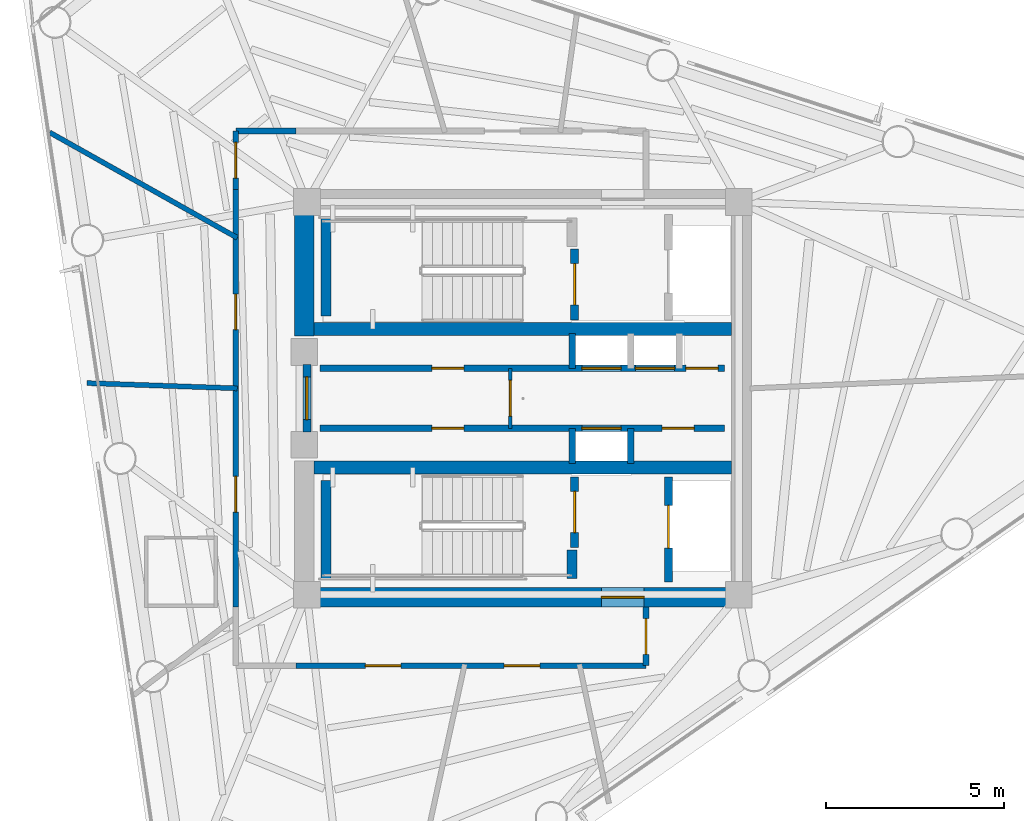
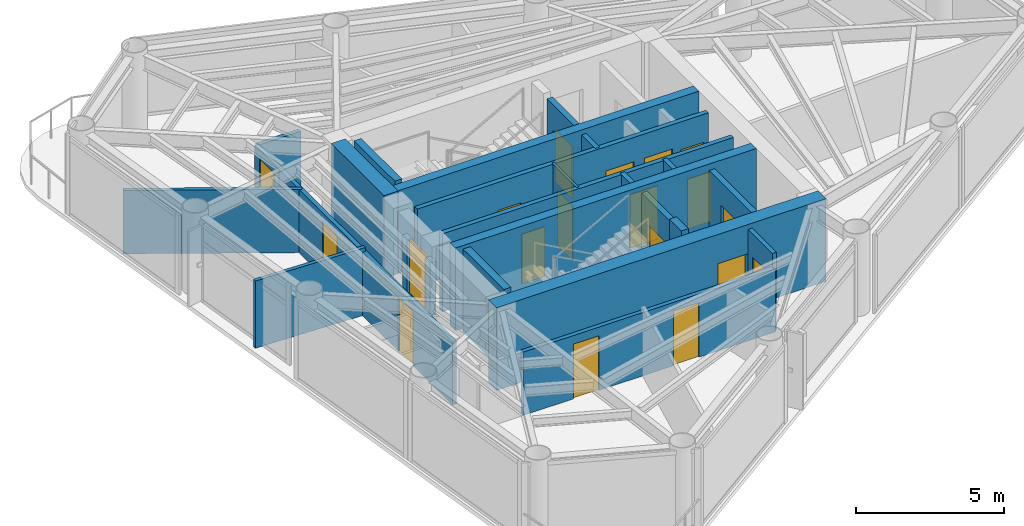
# One storey, part 5 of 9: 24 walls, 19 doors, 19 openings.
"""IFC4 building model written with IfcOpenShell, lengths in metres."""

from ifc_helpers import new_model, si_unit, direction, frame, frame_2d, origin, place, context, subcontext, project, spatial, rectangle, extrude, material, layer, layer_set, type_object, element, fill, save


model = new_model("IFC4")

# Units and contexts
model_context = context("Model", 3, precision=1e-05, world=origin(), true_north=direction((0.0, 1.0)))
body_context = subcontext(model_context, "Body", "Model", "MODEL_VIEW")
ifc_project = project(units=[si_unit("LENGTHUNIT", "METRE"), si_unit("AREAUNIT", "SQUARE_METRE"), si_unit("VOLUMEUNIT", "CUBIC_METRE"), si_unit("PLANEANGLEUNIT", "RADIAN"), si_unit("MASSUNIT", "GRAM", prefix="KILO")], contexts=[model_context])

# Site, building, storey
site_placement = place(None, origin())
site = spatial("IfcSite", under=ifc_project, at=site_placement, CompositionType="ELEMENT")
building_placement = place(site_placement, origin())
building = spatial("IfcBuilding", under=site, at=building_placement, Name="Yunling Apex Tower", CompositionType="ELEMENT")
storey_placement = place(building_placement, frame((0.0, 0.0, 260.949951171875)))
storey = spatial("IfcBuildingStorey", under=building, at=storey_placement, Name="L63", CompositionType="ELEMENT", Elevation=260.949951171875)

# Wall, opening, door
ifc_material_1 = material(Name="Concrete C40", Category="concrete")
ifc_layer_1 = layer(ifc_material_1, 0.550048828125)
ifc_layer_set_1 = layer_set([ifc_layer_1], Name="Concrete C40")
wall_type_1 = type_object("IfcWallType", Name="WL-COR-3", PredefinedType="SHEAR", material=ifc_layer_set_1)
wall_1_placement = place(storey_placement, frame((-6.39990234375, -5.574951171875, 0.0), z_axis=(0.0, 0.0, 1.0), x_axis=(1.0, 0.0, 0.0)))
wall_1 = element("IfcWall", 1, at=wall_1_placement, inside=storey, type_object=wall_type_1, Name="L63 South Core Shear Wall", PredefinedType="SHEAR", context=body_context, shape_type="SweptSolid", body=[
    extrude(rectangle(XDim=12.7998046875, YDim=0.550048828125, at=frame_2d((6.39990234375, 0.0))), origin(), (0.0, 0.0, 1.0), 3.400146484375),
])
opening_1_placement = place(wall_1_placement, frame((8.60009765625, 0.0, 0.0)))
opening_1 = element("IfcOpeningElement", 2, at=opening_1_placement, cuts=wall_1, Name="Opening DR-FFL-1", PredefinedType="OPENING", context=body_context, shape_type="SweptSolid", body=[
    extrude(rectangle(XDim=1.199951171875, YDim=2.199951171875, at=frame_2d((0.60009765625, 1.10009765625))), frame((0.0, 0.28515625, 0.0), z_axis=(0.0, -1.0, 0.0), x_axis=(1.0, 0.0, 0.0)), (0.0, 0.0, 1.0), 0.570068359375),
])
ifc_material_2 = material(Name="Steel Q355B", Category="steel")
door_type_1 = type_object("IfcDoorType", Name="DR-FFL-1", OperationType="NOTDEFINED", PredefinedType="DOOR", material=ifc_material_2)
door_1_placement = place(opening_1_placement, origin())
door_1 = element("IfcDoor", 3, at=door_1_placement, inside=storey, type_object=door_type_1, Name="L63 South Firefighting Lobby Door", OperationType="SINGLE_SWING_RIGHT", OverallHeight=2.199951171875, OverallWidth=1.199951171875, PredefinedType="DOOR", context=body_context, shape_type="SweptSolid", body=[
    extrude(rectangle(XDim=1.199951171875, YDim=2.199951171875, at=frame_2d((0.60009765625, 1.10009765625))), frame((0.0, 0.02490234375, 0.0), z_axis=(0.0, -1.0, 0.0), x_axis=(1.0, 0.0, 0.0)), (0.0, 0.0, 1.0), 0.050048828125),
])
fill(opening_1, door_1)

# Walls
wall_2_placement = place(storey_placement, frame((-6.125, 1.75, 0.0), z_axis=(0.0, 0.0, 1.0), x_axis=(0.0, 1.0, 0.0)))
element("IfcWall", 4, at=wall_2_placement, inside=storey, type_object=wall_type_1, Name="L63 West-North Core Shear Wall", PredefinedType="SHEAR", context=body_context, shape_type="SweptSolid", body=[
    extrude(rectangle(XDim=3.550048828125, YDim=0.550048828125, at=frame_2d((1.77490234375, 0.0))), origin(), (0.0, 0.0, 1.0), 3.400146484375),
])
ifc_layer_2 = layer(ifc_material_1, 0.360107421875)
ifc_layer_set_2 = layer_set([ifc_layer_2], Name="Concrete C40")
wall_type_2 = type_object("IfcWallType", Name="WL-COR-4", PredefinedType="SHEAR", material=ifc_layer_set_2)
for number, where, z_axis, x_axis, name in (
    (5, (-5.85009765625, 1.93994140625, 0.0), (0.0, 0.0, 1.0), (1.0, 0.0, 0.0), "L63 North Internal Core Shear Wall"),
    (6, (-5.85009765625, -1.93994140625, 0.0), (0.0, 0.0, 1.0), (1.0, 0.0, 0.0), "L63 South Internal Core Shear Wall"),
):
    element("IfcWall", number, at=place(storey_placement, frame(where, z_axis=z_axis, x_axis=x_axis)), inside=storey, type_object=wall_type_2, Name=name, PredefinedType="SHEAR", context=body_context, shape_type="SweptSolid", body=[
        extrude(rectangle(XDim=11.7001953125, YDim=0.360107421875, at=frame_2d((5.85009765625, 0.0))), origin(), (0.0, 0.0, 1.0), 3.400146484375),
    ])
ifc_layer_3 = layer(ifc_material_1, 0.280029296875)
ifc_layer_set_3 = layer_set([ifc_layer_3], Name="Concrete C40")
wall_type_3 = type_object("IfcWallType", Name="WL-COR-8", PredefinedType="SHEAR", material=ifc_layer_set_3)
for number, where, z_axis, x_axis, name in (
    (7, (-5.52001953125, 2.300048828125, 0.0), (0.0, 0.0, 1.0), (0.0, 1.0, 0.0), "L63 ST-1 West Landing Bearing Wall"),
    (8, (-5.52001953125, -5.050048828125, 0.0), (0.0, 0.0, 1.0), (0.0, 1.0, 0.0), "L63 ST-2 West Landing Bearing Wall"),
):
    element("IfcWall", number, at=place(storey_placement, frame(where, z_axis=z_axis, x_axis=x_axis)), inside=storey, type_object=wall_type_3, Name=name, PredefinedType="SHEAR", context=body_context, shape_type="SweptSolid", body=[
        extrude(rectangle(XDim=2.75, YDim=0.280029296875, at=frame_2d((1.375, 0.0))), origin(), (0.0, 0.0, 1.0), 3.400146484375),
    ])
wall_3_placement = place(storey_placement, frame((1.3798828125, -5.050048828125, 0.0), z_axis=(0.0, 0.0, 1.0), x_axis=(0.0, 1.0, 0.0)))
element("IfcWall", 9, at=wall_3_placement, inside=storey, type_object=wall_type_3, Name="L63 ST-2 East Landing Bearing Pier", PredefinedType="SHEAR", context=body_context, shape_type="SweptSolid", body=[
    extrude(rectangle(XDim=0.800048828125, YDim=0.280029296875, at=frame_2d((0.39990234375, 0.0))), origin(), (0.0, 0.0, 1.0), 3.400146484375),
])

# Wall, opening, door
ifc_material_3 = material(Name="Gypsum board acoustic partition")
ifc_layer_4 = layer(ifc_material_3, 0.159912109375)
ifc_layer_set_4 = layer_set([ifc_layer_4], Name="Gypsum board acoustic partition")
wall_type_4 = type_object("IfcWallType", Name="WL-PRT-1", PredefinedType="PARTITIONING", material=ifc_layer_set_4)
wall_4_placement = place(storey_placement, frame((-8.0400390625, 5.85009765625, 0.0), z_axis=(0.0, 0.0, 1.0), x_axis=(0.0, 1.0, 0.0)))
wall_4 = element("IfcWall", 10, at=wall_4_placement, inside=storey, type_object=wall_type_4, Name="WL-CORR-L63-01", PredefinedType="PARTITIONING", context=body_context, shape_type="SweptSolid", body=[
    extrude(rectangle(XDim=1.639892578125, YDim=0.159912109375, at=frame_2d((0.81982421875, 0.0))), origin(), (0.0, 0.0, 1.0), 2.60498046875),
])
opening_2_placement = place(wall_4_placement, frame((0.320068359375, 0.0, 0.0)))
opening_2 = element("IfcOpeningElement", 11, at=opening_2_placement, cuts=wall_4, Name="Opening DR-OFF-1", PredefinedType="OPENING", context=body_context, shape_type="SweptSolid", body=[
    extrude(rectangle(XDim=1.0, YDim=2.25, at=frame_2d((0.5, 1.125))), frame((0.0, 0.08984375, 0.0), z_axis=(0.0, -1.0, 0.0), x_axis=(1.0, 0.0, 0.0)), (0.0, 0.0, 1.0), 0.179931640625),
])
ifc_material_4 = material(Name="Bronze anodised aluminium", Category="aluminium")
door_type_2 = type_object("IfcDoorType", Name="DR-OFF-1", OperationType="NOTDEFINED", PredefinedType="DOOR", material=ifc_material_4)
door_2_placement = place(opening_2_placement, origin())
door_2 = element("IfcDoor", 12, at=door_2_placement, inside=storey, type_object=door_type_2, Name="L63 Residents Music Lounge Door", OperationType="SINGLE_SWING_LEFT", OverallHeight=2.25, OverallWidth=1.0, PredefinedType="DOOR", context=body_context, shape_type="SweptSolid", body=[
    extrude(rectangle(XDim=1.0, YDim=2.25, at=frame_2d((0.5, 1.125))), frame((0.0, 0.02490234375, 0.0), z_axis=(0.0, -1.0, 0.0), x_axis=(1.0, 0.0, 0.0)), (0.0, 0.0, 1.0), 0.050048828125),
])
fill(opening_2, door_2)

# Wall
wall_5_placement = place(storey_placement, frame((-8.0400390625, 7.489990234375, 0.0), z_axis=(0.0, 0.0, 1.0), x_axis=(1.0, 0.0, 0.0)))
element("IfcWall", 13, at=wall_5_placement, inside=storey, type_object=wall_type_4, Name="WL-CORR-L63-02", PredefinedType="PARTITIONING", context=body_context, shape_type="SweptSolid", body=[
    extrude(rectangle(XDim=1.679931640625, YDim=0.159912109375, at=frame_2d((0.83984375, 0.0))), origin(), (0.0, 0.0, 1.0), 2.60498046875),
])

# Wall, opening, door
wall_6_placement = place(storey_placement, frame((3.449951171875, -5.85009765625, 0.0), z_axis=(0.0, 0.0, 1.0), x_axis=(0.0, -1.0, 0.0)))
wall_6 = element("IfcWall", 14, at=wall_6_placement, inside=storey, type_object=wall_type_4, Name="WL-CORR-L63-05", PredefinedType="PARTITIONING", context=body_context, shape_type="SweptSolid", body=[
    extrude(rectangle(XDim=1.639892578125, YDim=0.159912109375, at=frame_2d((0.81982421875, 0.0))), origin(), (0.0, 0.0, 1.0), 3.199951171875),
])
opening_3_placement = place(wall_6_placement, frame((0.320068359375, 0.0, 0.0)))
opening_3 = element("IfcOpeningElement", 15, at=opening_3_placement, cuts=wall_6, Name="Opening DR-OFF-1", PredefinedType="OPENING", context=body_context, shape_type="SweptSolid", body=[
    extrude(rectangle(XDim=1.0, YDim=2.25, at=frame_2d((0.5, 1.125))), frame((0.0, 0.08984375, 0.0), z_axis=(0.0, -1.0, 0.0), x_axis=(1.0, 0.0, 0.0)), (0.0, 0.0, 1.0), 0.179931640625),
])
door_3_placement = place(opening_3_placement, origin())
door_3 = element("IfcDoor", 16, at=door_3_placement, inside=storey, type_object=door_type_2, Name="L63 Wellness Yoga Club Door", OperationType="SINGLE_SWING_RIGHT", OverallHeight=2.25, OverallWidth=1.0, PredefinedType="DOOR", context=body_context, shape_type="SweptSolid", body=[
    extrude(rectangle(XDim=1.0, YDim=2.25, at=frame_2d((0.5, 1.125))), frame((0.0, 0.02490234375, 0.0), z_axis=(0.0, -1.0, 0.0), x_axis=(1.0, 0.0, 0.0)), (0.0, 0.0, 1.0), 0.050048828125),
])
fill(opening_3, door_3)

# Wall, openings, doors
wall_7_placement = place(storey_placement, frame((3.449951171875, -7.489990234375, 0.0), z_axis=(0.0, 0.0, 1.0), x_axis=(-1.0, 0.0, 0.0)))
wall_7 = element("IfcWall", 17, at=wall_7_placement, inside=storey, type_object=wall_type_4, Name="WL-CORR-L63-06", PredefinedType="PARTITIONING", context=body_context, shape_type="SweptSolid", body=[
    extrude(rectangle(XDim=9.81005859375, YDim=0.159912109375, at=frame_2d((4.905029296875, 0.0))), origin(), (0.0, 0.0, 1.0), 2.60498046875),
])
opening_4_placement = place(wall_7_placement, frame((2.972900390625, 0.0, 0.0)))
opening_4 = element("IfcOpeningElement", 18, at=opening_4_placement, cuts=wall_7, Name="Opening DR-OFF-1", PredefinedType="OPENING", context=body_context, shape_type="SweptSolid", body=[
    extrude(rectangle(XDim=1.0, YDim=2.25, at=frame_2d((0.5, 1.125))), frame((0.0, 0.08984375, 0.0), z_axis=(0.0, -1.0, 0.0), x_axis=(1.0, 0.0, 0.0)), (0.0, 0.0, 1.0), 0.179931640625),
])
opening_5_placement = place(wall_7_placement, frame((6.864501953125, 0.0, 0.0)))
opening_5 = element("IfcOpeningElement", 19, at=opening_5_placement, cuts=wall_7, Name="Opening DR-OFF-1", PredefinedType="OPENING", context=body_context, shape_type="SweptSolid", body=[
    extrude(rectangle(XDim=1.0, YDim=2.25, at=frame_2d((0.5, 1.125))), frame((0.0, 0.08984375, 0.0), z_axis=(0.0, -1.0, 0.0), x_axis=(1.0, 0.0, 0.0)), (0.0, 0.0, 1.0), 0.179931640625),
])
door_4_placement = place(opening_4_placement, origin())
door_4 = element("IfcDoor", 20, at=door_4_placement, inside=storey, type_object=door_type_2, Name="L63 Residents Music Lounge Door", OperationType="SINGLE_SWING_LEFT", OverallHeight=2.25, OverallWidth=1.0, PredefinedType="DOOR", context=body_context, shape_type="SweptSolid", body=[
    extrude(rectangle(XDim=1.0, YDim=2.25, at=frame_2d((0.5, 1.125))), frame((0.0, 0.02490234375, 0.0), z_axis=(0.0, -1.0, 0.0), x_axis=(1.0, 0.0, 0.0)), (0.0, 0.0, 1.0), 0.050048828125),
])
fill(opening_4, door_4)
door_5_placement = place(opening_5_placement, origin())
door_5 = element("IfcDoor", 21, at=door_5_placement, inside=storey, type_object=door_type_2, Name="L63 Wellness Yoga Club Door", OperationType="SINGLE_SWING_RIGHT", OverallHeight=2.25, OverallWidth=1.0, PredefinedType="DOOR", context=body_context, shape_type="SweptSolid", body=[
    extrude(rectangle(XDim=1.0, YDim=2.25, at=frame_2d((0.5, 1.125))), frame((0.0, 0.02490234375, 0.0), z_axis=(0.0, -1.0, 0.0), x_axis=(1.0, 0.0, 0.0)), (0.0, 0.0, 1.0), 0.050048828125),
])
fill(opening_5, door_5)

wall_8_placement = place(storey_placement, frame((-8.0400390625, -5.85009765625, 0.0), z_axis=(0.0, 0.0, 1.0), x_axis=(0.0, 1.0, 0.0)))
wall_8 = element("IfcWall", 22, at=wall_8_placement, inside=storey, type_object=wall_type_4, Name="WL-CORR-L63-09", PredefinedType="PARTITIONING", context=body_context, shape_type="SweptSolid", body=[
    extrude(rectangle(XDim=11.7001953125, YDim=0.159912109375, at=frame_2d((5.85009765625, 0.0))), origin(), (0.0, 0.0, 1.0), 2.60498046875),
])
opening_6_placement = place(wall_8_placement, frame((2.660888671875, 0.0, 0.0)))
opening_6 = element("IfcOpeningElement", 23, at=opening_6_placement, cuts=wall_8, Name="Opening DR-OFF-1", PredefinedType="OPENING", context=body_context, shape_type="SweptSolid", body=[
    extrude(rectangle(XDim=1.0, YDim=2.25, at=frame_2d((0.5, 1.125))), frame((0.0, 0.08984375, 0.0), z_axis=(0.0, -1.0, 0.0), x_axis=(1.0, 0.0, 0.0)), (0.0, 0.0, 1.0), 0.179931640625),
])
opening_7_placement = place(wall_8_placement, frame((7.771484375, 0.0, 0.0)))
opening_7 = element("IfcOpeningElement", 24, at=opening_7_placement, cuts=wall_8, Name="Opening DR-OFF-1", PredefinedType="OPENING", context=body_context, shape_type="SweptSolid", body=[
    extrude(rectangle(XDim=1.0, YDim=2.25, at=frame_2d((0.5, 1.125))), frame((0.0, 0.08984375, 0.0), z_axis=(0.0, -1.0, 0.0), x_axis=(1.0, 0.0, 0.0)), (0.0, 0.0, 1.0), 0.179931640625),
])
door_6_placement = place(opening_6_placement, origin())
door_6 = element("IfcDoor", 25, at=door_6_placement, inside=storey, type_object=door_type_2, Name="L63 Residents Music Lounge Door", OperationType="SINGLE_SWING_LEFT", OverallHeight=2.25, OverallWidth=1.0, PredefinedType="DOOR", context=body_context, shape_type="SweptSolid", body=[
    extrude(rectangle(XDim=1.0, YDim=2.25, at=frame_2d((0.5, 1.125))), frame((0.0, 0.02490234375, 0.0), z_axis=(0.0, -1.0, 0.0), x_axis=(1.0, 0.0, 0.0)), (0.0, 0.0, 1.0), 0.050048828125),
])
fill(opening_6, door_6)
door_7_placement = place(opening_7_placement, origin())
door_7 = element("IfcDoor", 26, at=door_7_placement, inside=storey, type_object=door_type_2, Name="L63 Wellness Yoga Club Door", OperationType="SINGLE_SWING_RIGHT", OverallHeight=2.25, OverallWidth=1.0, PredefinedType="DOOR", context=body_context, shape_type="SweptSolid", body=[
    extrude(rectangle(XDim=1.0, YDim=2.25, at=frame_2d((0.5, 1.125))), frame((0.0, 0.02490234375, 0.0), z_axis=(0.0, -1.0, 0.0), x_axis=(1.0, 0.0, 0.0)), (0.0, 0.0, 1.0), 0.050048828125),
])
fill(opening_7, door_7)

# Walls
ifc_layer_5 = layer(ifc_material_3, 0.139892578125)
ifc_layer_set_5 = layer_set([ifc_layer_5], Name="Gypsum board acoustic partition")
wall_type_5 = type_object("IfcWallType", Name="WL-PRT-2", PredefinedType="PARTITIONING", material=ifc_layer_set_5)
wall_9_placement = place(storey_placement, frame((-8.0, 4.49560546875, 0.0), z_axis=(0.0, 0.0, 1.0), x_axis=(-0.871799326596, 0.489863179008, 0.0)))
element("IfcWall", 27, at=wall_9_placement, inside=storey, type_object=wall_type_5, Name="WL-RAD-L63-04", PredefinedType="PARTITIONING", context=body_context, shape_type="SweptSolid", body=[
    extrude(rectangle(XDim=6.028564453125, YDim=0.139892578125, at=frame_2d((3.01416015625, 0.0))), origin(), (0.0, 0.0, 1.0), 2.60498046875),
])
wall_10_placement = place(storey_placement, frame((-8.0, 0.279296875, 0.0), z_axis=(0.0, 0.0, 1.0), x_axis=(-0.999390047844, 0.034921802229, 0.0)))
element("IfcWall", 28, at=wall_10_placement, inside=storey, type_object=wall_type_5, Name="WL-RAD-L63-05", PredefinedType="PARTITIONING", context=body_context, shape_type="SweptSolid", body=[
    extrude(rectangle(XDim=4.208740234375, YDim=0.139892578125, at=frame_2d((2.1044921875, 0.0))), origin(), (0.0, 0.0, 1.0), 2.76513671875),
])

# Wall, opening, door
ifc_layer_6 = layer(ifc_material_3, 0.10009765625)
ifc_layer_set_6 = layer_set([ifc_layer_6], Name="Gypsum board acoustic partition")
wall_type_6 = type_object("IfcWallType", Name="WL-PRT-4", PredefinedType="PARTITIONING", material=ifc_layer_set_6)
wall_11_placement = place(storey_placement, frame((-0.35009765625, -0.840087890625, 0.0), z_axis=(0.0, 0.0, 1.0), x_axis=(0.0, 1.0, 0.0)))
wall_11 = element("IfcWall", 29, at=wall_11_placement, inside=storey, type_object=wall_type_6, Name="WL-LOB-MID-L63", PredefinedType="PARTITIONING", context=body_context, shape_type="SweptSolid", body=[
    extrude(rectangle(XDim=1.68017578125, YDim=0.10009765625, at=frame_2d((0.840087890625, 0.0))), origin(), (0.0, 0.0, 1.0), 3.199951171875),
])
opening_8_placement = place(wall_11_placement, frame((0.340087890625, 0.0, 0.0)))
opening_8 = element("IfcOpeningElement", 30, at=opening_8_placement, cuts=wall_11, Name="Opening DR-OFF-1", PredefinedType="OPENING", context=body_context, shape_type="SweptSolid", body=[
    extrude(rectangle(XDim=1.0, YDim=2.25, at=frame_2d((0.5, 1.125))), frame((0.0, 0.06005859375, 0.0), z_axis=(0.0, -1.0, 0.0), x_axis=(1.0, 0.0, 0.0)), (0.0, 0.0, 1.0), 0.1201171875),
])
door_8_placement = place(opening_8_placement, origin())
door_8 = element("IfcDoor", 31, at=door_8_placement, inside=storey, type_object=door_type_2, Name="L63 Core Lobby Link Door", OperationType="SINGLE_SWING_LEFT", OverallHeight=2.25, OverallWidth=1.0, PredefinedType="DOOR", context=body_context, shape_type="SweptSolid", body=[
    extrude(rectangle(XDim=1.0, YDim=2.25, at=frame_2d((0.5, 1.125))), frame((0.0, 0.02490234375, 0.0), z_axis=(0.0, -1.0, 0.0), x_axis=(1.0, 0.0, 0.0)), (0.0, 0.0, 1.0), 0.050048828125),
])
fill(opening_8, door_8)

ifc_material_5 = material(Name="Autoclaved aerated concrete masonry", Category="masonry")
ifc_layer_7 = layer(ifc_material_5, 0.219970703125)
ifc_layer_set_7 = layer_set([ifc_layer_7], Name="Autoclaved aerated concrete masonry")
wall_type_7 = type_object("IfcWallType", Name="WL-SHF-1", PredefinedType="PLUMBINGWALL", material=ifc_layer_set_7)
wall_12_placement = place(storey_placement, frame((-6.050048828125, -0.949951171875, 0.0), z_axis=(0.0, 0.0, 1.0), x_axis=(0.0, 1.0, 0.0)))
wall_12 = element("IfcWall", 32, at=wall_12_placement, inside=storey, type_object=wall_type_7, Name="WL-COR-WPORT-L63", PredefinedType="PLUMBINGWALL", context=body_context, shape_type="SweptSolid", body=[
    extrude(rectangle(XDim=1.89990234375, YDim=0.219970703125, at=frame_2d((0.949951171875, 0.0))), origin(), (0.0, 0.0, 1.0), 2.179931640625),
])
opening_9_placement = place(wall_12_placement, frame((0.35009765625, 0.0, 0.0)))
opening_9 = element("IfcOpeningElement", 33, at=opening_9_placement, cuts=wall_12, Name="Opening DR-FFL-1", PredefinedType="OPENING", context=body_context, shape_type="SweptSolid", body=[
    extrude(rectangle(XDim=1.199951171875, YDim=2.199951171875, at=frame_2d((0.60009765625, 1.10009765625))), frame((0.0, 0.1201171875, 0.0), z_axis=(0.0, -1.0, 0.0), x_axis=(1.0, 0.0, 0.0)), (0.0, 0.0, 1.0), 0.239990234375),
])
door_9_placement = place(opening_9_placement, origin())
door_9 = element("IfcDoor", 34, at=door_9_placement, inside=storey, type_object=door_type_1, Name="L63 Passenger Lift Lobby Entrance Door", OperationType="SINGLE_SWING_RIGHT", OverallHeight=2.199951171875, OverallWidth=1.199951171875, PredefinedType="DOOR", context=body_context, shape_type="SweptSolid", body=[
    extrude(rectangle(XDim=1.199951171875, YDim=2.199951171875, at=frame_2d((0.60009765625, 1.10009765625))), frame((0.0, 0.02490234375, 0.0), z_axis=(0.0, -1.0, 0.0), x_axis=(1.0, 0.0, 0.0)), (0.0, 0.0, 1.0), 0.050048828125),
])
fill(opening_9, door_9)

wall_13_placement = place(storey_placement, frame((1.449951171875, 2.199951171875, 0.0), z_axis=(0.0, 0.0, 1.0), x_axis=(0.0, 1.0, 0.0)))
wall_13 = element("IfcWall", 35, at=wall_13_placement, inside=storey, type_object=wall_type_7, Name="WL-ST1-E-L63", PredefinedType="PLUMBINGWALL", context=body_context, shape_type="SweptSolid", body=[
    extrude(rectangle(XDim=1.97998046875, YDim=0.219970703125, at=frame_2d((0.989990234375, 0.0))), origin(), (0.0, 0.0, 1.0), 3.199951171875),
])
opening_10_placement = place(wall_13_placement, frame((0.419921875, 0.0, 0.0)))
opening_10 = element("IfcOpeningElement", 36, at=opening_10_placement, cuts=wall_13, Name="Opening DR-ST-1", PredefinedType="OPENING", context=body_context, shape_type="SweptSolid", body=[
    extrude(rectangle(XDim=1.14990234375, YDim=2.14990234375, at=frame_2d((0.574951171875, 1.074951171875))), frame((0.0, 0.1201171875, 0.0), z_axis=(0.0, -1.0, 0.0), x_axis=(1.0, 0.0, 0.0)), (0.0, 0.0, 1.0), 0.239990234375),
])
door_type_3 = type_object("IfcDoorType", Name="DR-ST-1", OperationType="NOTDEFINED", PredefinedType="DOOR", material=ifc_material_2)
door_10_placement = place(opening_10_placement, origin())
door_10 = element("IfcDoor", 37, at=door_10_placement, inside=storey, type_object=door_type_3, Name="L63 Stair ST-1 Fire Door", OperationType="SINGLE_SWING_LEFT", OverallHeight=2.14990234375, OverallWidth=1.14990234375, PredefinedType="DOOR", context=body_context, shape_type="SweptSolid", body=[
    extrude(rectangle(XDim=1.14990234375, YDim=2.14990234375, at=frame_2d((0.574951171875, 1.074951171875))), frame((0.0, 0.02490234375, 0.0), z_axis=(0.0, -1.0, 0.0), x_axis=(1.0, 0.0, 0.0)), (0.0, 0.0, 1.0), 0.050048828125),
])
fill(opening_10, door_10)

wall_14_placement = place(storey_placement, frame((1.449951171875, -4.179931640625, 0.0), z_axis=(0.0, 0.0, 1.0), x_axis=(0.0, 1.0, 0.0)))
wall_14 = element("IfcWall", 38, at=wall_14_placement, inside=storey, type_object=wall_type_7, Name="WL-ST2-E-L63", PredefinedType="PLUMBINGWALL", context=body_context, shape_type="SweptSolid", body=[
    extrude(rectangle(XDim=1.97998046875, YDim=0.219970703125, at=frame_2d((0.989990234375, 0.0))), origin(), (0.0, 0.0, 1.0), 3.199951171875),
])
opening_11_placement = place(wall_14_placement, frame((0.419921875, 0.0, 0.0)))
opening_11 = element("IfcOpeningElement", 39, at=opening_11_placement, cuts=wall_14, Name="Opening DR-ST-1", PredefinedType="OPENING", context=body_context, shape_type="SweptSolid", body=[
    extrude(rectangle(XDim=1.14990234375, YDim=2.14990234375, at=frame_2d((0.574951171875, 1.074951171875))), frame((0.0, 0.1201171875, 0.0), z_axis=(0.0, -1.0, 0.0), x_axis=(1.0, 0.0, 0.0)), (0.0, 0.0, 1.0), 0.239990234375),
])
door_11_placement = place(opening_11_placement, origin())
door_11 = element("IfcDoor", 40, at=door_11_placement, inside=storey, type_object=door_type_3, Name="L63 Stair ST-2 Fire Door", OperationType="SINGLE_SWING_RIGHT", OverallHeight=2.14990234375, OverallWidth=1.14990234375, PredefinedType="DOOR", context=body_context, shape_type="SweptSolid", body=[
    extrude(rectangle(XDim=1.14990234375, YDim=2.14990234375, at=frame_2d((0.574951171875, 1.074951171875))), frame((0.0, 0.02490234375, 0.0), z_axis=(0.0, -1.0, 0.0), x_axis=(1.0, 0.0, 0.0)), (0.0, 0.0, 1.0), 0.050048828125),
])
fill(opening_11, door_11)

wall_15_placement = place(storey_placement, frame((4.080078125, -5.14990234375, 0.0), z_axis=(0.0, 0.0, 1.0), x_axis=(0.0, 1.0, 0.0)))
wall_15 = element("IfcWall", 41, at=wall_15_placement, inside=storey, type_object=wall_type_7, Name="WL-FFL2-W-L63", PredefinedType="PLUMBINGWALL", context=body_context, shape_type="SweptSolid", body=[
    extrude(rectangle(XDim=2.949951171875, YDim=0.219970703125, at=frame_2d((1.47509765625, 0.0))), origin(), (0.0, 0.0, 1.0), 3.199951171875),
])
opening_12_placement = place(wall_15_placement, frame((0.949951171875, 0.0, 0.0)))
opening_12 = element("IfcOpeningElement", 42, at=opening_12_placement, cuts=wall_15, Name="Opening LD-FFL-1", PredefinedType="OPENING", context=body_context, shape_type="SweptSolid", body=[
    extrude(rectangle(XDim=1.199951171875, YDim=2.25, at=frame_2d((0.60009765625, 1.125))), frame((0.0, 0.1201171875, 0.0), z_axis=(0.0, -1.0, 0.0), x_axis=(1.0, 0.0, 0.0)), (0.0, 0.0, 1.0), 0.239990234375),
])
door_type_4 = type_object("IfcDoorType", Name="LD-FFL-1", OperationType="DOUBLE_DOOR_SLIDING", PredefinedType="DOOR", material=ifc_material_2)
door_12_placement = place(opening_12_placement, origin())
door_12 = element("IfcDoor", 43, at=door_12_placement, inside=storey, type_object=door_type_4, Name="L63 Lift FFL-2 Landing Door", OperationType="DOUBLE_DOOR_SLIDING", OverallHeight=2.25, OverallWidth=1.199951171875, PredefinedType="DOOR", context=body_context, shape_type="SweptSolid", body=[
    extrude(rectangle(XDim=1.199951171875, YDim=2.25, at=frame_2d((0.60009765625, 1.125))), frame((0.0, 0.02490234375, 0.0), z_axis=(0.0, -1.0, 0.0), x_axis=(1.0, 0.0, 0.0)), (0.0, 0.0, 1.0), 0.050048828125),
])
fill(opening_12, door_12)

# Walls
ifc_layer_8 = layer(ifc_material_5, 0.179931640625)
ifc_layer_set_8 = layer_set([ifc_layer_8], Name="Autoclaved aerated concrete masonry")
wall_type_8 = type_object("IfcWallType", Name="WL-SHF-2", PredefinedType="PLUMBINGWALL", material=ifc_layer_set_8)
for number, where, z_axis, x_axis, name in (
    (44, (1.3798828125, 0.840087890625, 0.0), (0.0, 0.0, 1.0), (0.0, 1.0, 0.0), "WL-BNK-MH-N-L63"),
    (45, (1.3798828125, -1.820068359375, 0.0), (0.0, 0.0, 1.0), (0.0, 1.0, 0.0), "WL-BNK-MH-S-L63"),
    (46, (3.02001953125, -1.820068359375, 0.0), (0.0, 0.0, 1.0), (0.0, 1.0, 0.0), "WL-END-H2E-L63"),
):
    element("IfcWall", number, at=place(storey_placement, frame(where, z_axis=z_axis, x_axis=x_axis)), inside=storey, type_object=wall_type_8, Name=name, PredefinedType="PLUMBINGWALL", context=body_context, shape_type="SweptSolid", body=[
        extrude(rectangle(XDim=0.97998046875, YDim=0.179931640625, at=frame_2d((0.489990234375, 0.0))), origin(), (0.0, 0.0, 1.0), 3.199951171875),
    ])

# Wall, openings, doors
wall_16_placement = place(storey_placement, frame((-5.679931640625, 0.840087890625, 0.0), z_axis=(0.0, 0.0, 1.0), x_axis=(1.0, 0.0, 0.0)))
wall_16 = element("IfcWall", 47, at=wall_16_placement, inside=storey, type_object=wall_type_8, Name="WL-LOB-N-L63", PredefinedType="PLUMBINGWALL", context=body_context, shape_type="SweptSolid", body=[
    extrude(rectangle(XDim=11.329833984375, YDim=0.179931640625, at=frame_2d((5.6650390625, 0.0))), origin(), (0.0, 0.0, 1.0), 3.199951171875),
])
opening_13_placement = place(wall_16_placement, frame((3.1298828125, 0.0, 0.0)))
opening_13 = element("IfcOpeningElement", 48, at=opening_13_placement, cuts=wall_16, Name="Opening DR-SHF-1", PredefinedType="OPENING", context=body_context, shape_type="SweptSolid", body=[
    extrude(rectangle(XDim=0.89990234375, YDim=2.050048828125, at=frame_2d((0.449951171875, 1.02490234375))), frame((0.0, 0.10009765625, 0.0), z_axis=(0.0, -1.0, 0.0), x_axis=(1.0, 0.0, 0.0)), (0.0, 0.0, 1.0), 0.199951171875),
])
opening_14_placement = place(wall_16_placement, frame((7.330078125, 0.0, 0.0)))
opening_14 = element("IfcOpeningElement", 49, at=opening_14_placement, cuts=wall_16, Name="Opening LD-PAS-1", PredefinedType="OPENING", context=body_context, shape_type="SweptSolid", body=[
    extrude(rectangle(XDim=1.10009765625, YDim=2.199951171875, at=frame_2d((0.550048828125, 1.10009765625))), frame((0.0, 0.10009765625, 0.0), z_axis=(0.0, -1.0, 0.0), x_axis=(1.0, 0.0, 0.0)), (0.0, 0.0, 1.0), 0.199951171875),
])
opening_15_placement = place(wall_16_placement, frame((8.830078125, 0.0, 0.0)))
opening_15 = element("IfcOpeningElement", 50, at=opening_15_placement, cuts=wall_16, Name="Opening LD-PAS-1", PredefinedType="OPENING", context=body_context, shape_type="SweptSolid", body=[
    extrude(rectangle(XDim=1.10009765625, YDim=2.199951171875, at=frame_2d((0.550048828125, 1.10009765625))), frame((0.0, 0.10009765625, 0.0), z_axis=(0.0, -1.0, 0.0), x_axis=(1.0, 0.0, 0.0)), (0.0, 0.0, 1.0), 0.199951171875),
])
opening_16_placement = place(wall_16_placement, frame((10.25, 0.0, 0.0)))
opening_16 = element("IfcOpeningElement", 51, at=opening_16_placement, cuts=wall_16, Name="Opening DR-SHF-1", PredefinedType="OPENING", context=body_context, shape_type="SweptSolid", body=[
    extrude(rectangle(XDim=0.89990234375, YDim=2.050048828125, at=frame_2d((0.449951171875, 1.02490234375))), frame((0.0, 0.10009765625, 0.0), z_axis=(0.0, -1.0, 0.0), x_axis=(1.0, 0.0, 0.0)), (0.0, 0.0, 1.0), 0.199951171875),
])
door_type_5 = type_object("IfcDoorType", Name="DR-SHF-1", OperationType="NOTDEFINED", PredefinedType="DOOR", material=ifc_material_2)
door_13_placement = place(opening_13_placement, origin())
door_13 = element("IfcDoor", 52, at=door_13_placement, inside=storey, type_object=door_type_5, Name="L63 Data Plant Door", OperationType="SINGLE_SWING_RIGHT", OverallHeight=2.050048828125, OverallWidth=0.89990234375, PredefinedType="DOOR", context=body_context, shape_type="SweptSolid", body=[
    extrude(rectangle(XDim=0.89990234375, YDim=2.050048828125, at=frame_2d((0.449951171875, 1.02490234375))), frame((0.0, 0.02490234375, 0.0), z_axis=(0.0, -1.0, 0.0), x_axis=(1.0, 0.0, 0.0)), (0.0, 0.0, 1.0), 0.050048828125),
])
fill(opening_13, door_13)
door_14_placement = place(opening_16_placement, origin())
door_14 = element("IfcDoor", 53, at=door_14_placement, inside=storey, type_object=door_type_5, Name="L63 Core Janitor Closet Door", OperationType="SINGLE_SWING_LEFT", OverallHeight=2.050048828125, OverallWidth=0.89990234375, PredefinedType="DOOR", context=body_context, shape_type="SweptSolid", body=[
    extrude(rectangle(XDim=0.89990234375, YDim=2.050048828125, at=frame_2d((0.449951171875, 1.02490234375))), frame((0.0, 0.02490234375, 0.0), z_axis=(0.0, -1.0, 0.0), x_axis=(1.0, 0.0, 0.0)), (0.0, 0.0, 1.0), 0.050048828125),
])
fill(opening_16, door_14)
ifc_material_6 = material(Name="Silver anodised aluminium", Category="aluminium")
door_type_6 = type_object("IfcDoorType", Name="LD-PAS-1", OperationType="DOUBLE_DOOR_SLIDING", PredefinedType="DOOR", material=ifc_material_6)
door_15_placement = place(opening_14_placement, origin())
door_15 = element("IfcDoor", 54, at=door_15_placement, inside=storey, type_object=door_type_6, Name="L63 Lift PL-H1 Landing Door", OperationType="DOUBLE_DOOR_SLIDING", OverallHeight=2.199951171875, OverallWidth=1.10009765625, PredefinedType="DOOR", context=body_context, shape_type="SweptSolid", body=[
    extrude(rectangle(XDim=1.10009765625, YDim=2.199951171875, at=frame_2d((0.550048828125, 1.10009765625))), frame((0.0, 0.02490234375, 0.0), z_axis=(0.0, -1.0, 0.0), x_axis=(1.0, 0.0, 0.0)), (0.0, 0.0, 1.0), 0.050048828125),
])
fill(opening_14, door_15)
door_16_placement = place(opening_15_placement, origin())
door_16 = element("IfcDoor", 55, at=door_16_placement, inside=storey, type_object=door_type_6, Name="L63 Lift PL-H3 Landing Door", OperationType="DOUBLE_DOOR_SLIDING", OverallHeight=2.199951171875, OverallWidth=1.10009765625, PredefinedType="DOOR", context=body_context, shape_type="SweptSolid", body=[
    extrude(rectangle(XDim=1.10009765625, YDim=2.199951171875, at=frame_2d((0.550048828125, 1.10009765625))), frame((0.0, 0.02490234375, 0.0), z_axis=(0.0, -1.0, 0.0), x_axis=(1.0, 0.0, 0.0)), (0.0, 0.0, 1.0), 0.050048828125),
])
fill(opening_15, door_16)

wall_17_placement = place(storey_placement, frame((-5.679931640625, -0.840087890625, 0.0), z_axis=(0.0, 0.0, 1.0), x_axis=(1.0, 0.0, 0.0)))
wall_17 = element("IfcWall", 56, at=wall_17_placement, inside=storey, type_object=wall_type_8, Name="WL-LOB-S-L63", PredefinedType="PLUMBINGWALL", context=body_context, shape_type="SweptSolid", body=[
    extrude(rectangle(XDim=11.329833984375, YDim=0.179931640625, at=frame_2d((5.6650390625, 0.0))), origin(), (0.0, 0.0, 1.0), 3.199951171875),
])
opening_17_placement = place(wall_17_placement, frame((3.1298828125, 0.0, 0.0)))
opening_17 = element("IfcOpeningElement", 57, at=opening_17_placement, cuts=wall_17, Name="Opening DR-SHF-1", PredefinedType="OPENING", context=body_context, shape_type="SweptSolid", body=[
    extrude(rectangle(XDim=0.89990234375, YDim=2.050048828125, at=frame_2d((0.449951171875, 1.02490234375))), frame((0.0, 0.10009765625, 0.0), z_axis=(0.0, -1.0, 0.0), x_axis=(1.0, 0.0, 0.0)), (0.0, 0.0, 1.0), 0.199951171875),
])
opening_18_placement = place(wall_17_placement, frame((7.330078125, 0.0, 0.0)))
opening_18 = element("IfcOpeningElement", 58, at=opening_18_placement, cuts=wall_17, Name="Opening LD-PAS-1", PredefinedType="OPENING", context=body_context, shape_type="SweptSolid", body=[
    extrude(rectangle(XDim=1.10009765625, YDim=2.199951171875, at=frame_2d((0.550048828125, 1.10009765625))), frame((0.0, 0.10009765625, 0.0), z_axis=(0.0, -1.0, 0.0), x_axis=(1.0, 0.0, 0.0)), (0.0, 0.0, 1.0), 0.199951171875),
])
opening_19_placement = place(wall_17_placement, frame((9.580078125, 0.0, 0.0)))
opening_19 = element("IfcOpeningElement", 59, at=opening_19_placement, cuts=wall_17, Name="Opening DR-SHF-1", PredefinedType="OPENING", context=body_context, shape_type="SweptSolid", body=[
    extrude(rectangle(XDim=0.89990234375, YDim=2.050048828125, at=frame_2d((0.449951171875, 1.02490234375))), frame((0.0, 0.10009765625, 0.0), z_axis=(0.0, -1.0, 0.0), x_axis=(1.0, 0.0, 0.0)), (0.0, 0.0, 1.0), 0.199951171875),
])
door_17_placement = place(opening_17_placement, origin())
door_17 = element("IfcDoor", 60, at=door_17_placement, inside=storey, type_object=door_type_5, Name="L63 Housekeeping Store Door", OperationType="SINGLE_SWING_RIGHT", OverallHeight=2.050048828125, OverallWidth=0.89990234375, PredefinedType="DOOR", context=body_context, shape_type="SweptSolid", body=[
    extrude(rectangle(XDim=0.89990234375, YDim=2.050048828125, at=frame_2d((0.449951171875, 1.02490234375))), frame((0.0, 0.02490234375, 0.0), z_axis=(0.0, -1.0, 0.0), x_axis=(1.0, 0.0, 0.0)), (0.0, 0.0, 1.0), 0.050048828125),
])
fill(opening_17, door_17)
door_18_placement = place(opening_19_placement, origin())
door_18 = element("IfcDoor", 61, at=door_18_placement, inside=storey, type_object=door_type_5, Name="L63 Core MEP Service Door", OperationType="SINGLE_SWING_LEFT", OverallHeight=2.050048828125, OverallWidth=0.89990234375, PredefinedType="DOOR", context=body_context, shape_type="SweptSolid", body=[
    extrude(rectangle(XDim=0.89990234375, YDim=2.050048828125, at=frame_2d((0.449951171875, 1.02490234375))), frame((0.0, 0.02490234375, 0.0), z_axis=(0.0, -1.0, 0.0), x_axis=(1.0, 0.0, 0.0)), (0.0, 0.0, 1.0), 0.050048828125),
])
fill(opening_19, door_18)
door_19_placement = place(opening_18_placement, origin())
door_19 = element("IfcDoor", 62, at=door_19_placement, inside=storey, type_object=door_type_6, Name="L63 Lift PL-H2 Landing Door", OperationType="DOUBLE_DOOR_SLIDING", OverallHeight=2.199951171875, OverallWidth=1.10009765625, PredefinedType="DOOR", context=body_context, shape_type="SweptSolid", body=[
    extrude(rectangle(XDim=1.10009765625, YDim=2.199951171875, at=frame_2d((0.550048828125, 1.10009765625))), frame((0.0, 0.02490234375, 0.0), z_axis=(0.0, -1.0, 0.0), x_axis=(1.0, 0.0, 0.0)), (0.0, 0.0, 1.0), 0.050048828125),
])
fill(opening_18, door_19)

save(model, "model.ifc")
